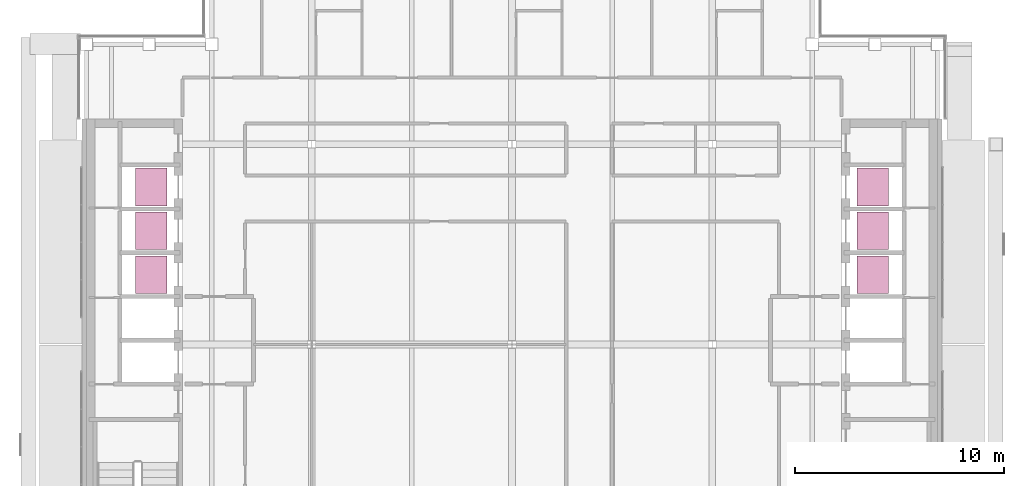
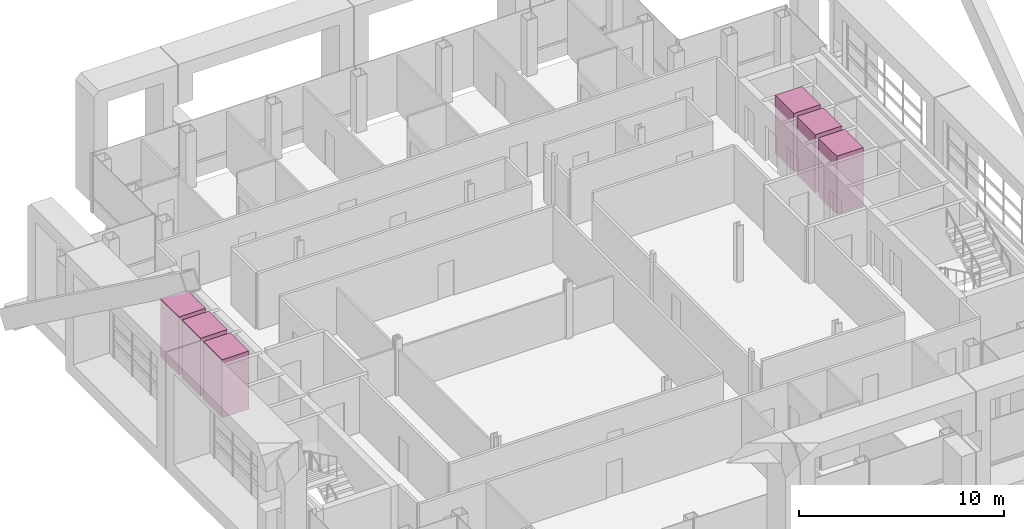
# One storey, part 23 of 23: 6 transport elements.
"""IFC4 building model written with IfcOpenShell, lengths in metres."""

from ifc_helpers import new_model, si_unit, direction, frame, origin, origin_2d, place, context, subcontext, project, spatial, rectangle, extrude, material, type_object, element, save


model = new_model("IFC4")

# Units and contexts
model_context = context("Model", 3, precision=1e-05, world=origin(), true_north=direction((0.0, 1.0)))
body_context = subcontext(model_context, "Body", "Model", "MODEL_VIEW")
ifc_project = project(units=[si_unit("LENGTHUNIT", "METRE"), si_unit("AREAUNIT", "SQUARE_METRE"), si_unit("VOLUMEUNIT", "CUBIC_METRE"), si_unit("PLANEANGLEUNIT", "RADIAN"), si_unit("MASSUNIT", "GRAM", prefix="KILO")], contexts=[model_context])

# Site, building, storey
site_placement = place(None, origin())
site = spatial("IfcSite", under=ifc_project, at=site_placement, CompositionType="ELEMENT")
building_placement = place(site_placement, origin())
building = spatial("IfcBuilding", under=site, at=building_placement, Name="Cobrizo Arcos Hotel Tower", CompositionType="ELEMENT")
storey_placement = place(building_placement, frame((0.0, 0.0, 255.0)))
storey = spatial("IfcBuildingStorey", under=building, at=storey_placement, Name="L67", CompositionType="ELEMENT", Elevation=255.0)

# Transport elements
ifc_material = material(Name="Stainless steel car", Category="steel")
transport_element_type = type_object("IfcTransportElementType", Name="Lift car High 1.8x1.5", PredefinedType="ELEVATOR", material=ifc_material)
for number, where, z_axis, x_axis, name in (
    (1, (-17.300048828125, 3.35009765625, 0.0), (0.0, 0.0, 1.0), (1.0, 0.0, 0.0), "High-rise passenger lift W1"),
    (2, (-17.300048828125, 5.449951171875, 0.0), (0.0, 0.0, 1.0), (1.0, 0.0, 0.0), "High-rise passenger lift W2"),
    (3, (-17.300048828125, 7.550048828125, 0.0), (0.0, 0.0, 1.0), (1.0, 0.0, 0.0), "High-rise passenger lift W3"),
    (4, (17.300048828125, 3.35009765625, 0.0), (0.0, 0.0, 1.0), (1.0, 0.0, 0.0), "High-rise passenger lift E1"),
    (5, (17.300048828125, 5.449951171875, 0.0), (0.0, 0.0, 1.0), (1.0, 0.0, 0.0), "High-rise passenger lift E2"),
    (6, (17.300048828125, 7.550048828125, 0.0), (0.0, 0.0, 1.0), (1.0, 0.0, 0.0), "High-rise passenger lift E3"),
):
    element("IfcTransportElement", number, at=place(storey_placement, frame(where, z_axis=z_axis, x_axis=x_axis)), inside=storey, type_object=transport_element_type, Name=name, PredefinedType="ELEVATOR", context=body_context, shape_type="SweptSolid", body=[
        extrude(rectangle(XDim=1.5, YDim=1.800048828125, at=origin_2d()), origin(), (0.0, 0.0, 1.0), 3.449951171875),
    ])

save(model, "model.ifc")
